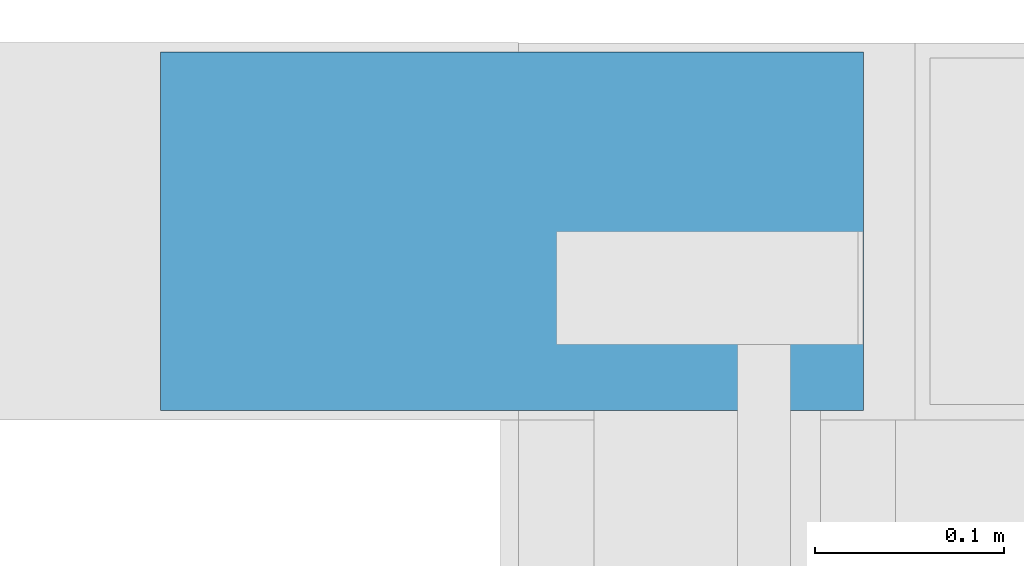
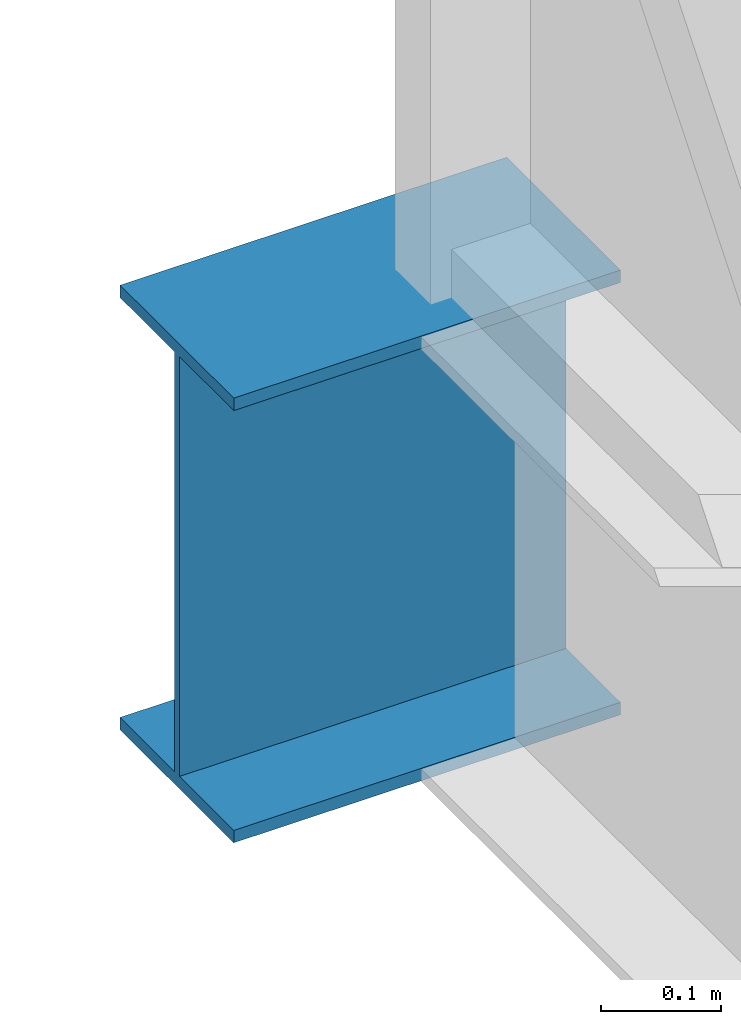
# One storey, part 139 of 646: 1 beam.
"""IFC4 building model written with IfcOpenShell, lengths in metres."""

from ifc_helpers import new_model, si_unit, direction, frame, origin, origin_2d, place, context, subcontext, project, spatial, i_section, extrude, material, material_profile, profile_set, type_object, element, save


model = new_model("IFC4")

# Units and contexts
model_context = context("Model", 3, precision=1e-05, world=origin(), true_north=direction((0.0, 1.0)))
body_context = subcontext(model_context, "Body", "Model", "MODEL_VIEW")
ifc_project = project(units=[si_unit("LENGTHUNIT", "METRE"), si_unit("AREAUNIT", "SQUARE_METRE"), si_unit("VOLUMEUNIT", "CUBIC_METRE"), si_unit("PLANEANGLEUNIT", "RADIAN"), si_unit("MASSUNIT", "GRAM", prefix="KILO")], contexts=[model_context])

# Site, building, storey
site_placement = place(None, origin())
site = spatial("IfcSite", under=ifc_project, at=site_placement, CompositionType="ELEMENT")
building_placement = place(site_placement, origin())
building = spatial("IfcBuilding", under=site, at=building_placement, Name="Silverbay Arena", CompositionType="ELEMENT")
storey_placement = place(building_placement, frame((0.0, 0.0, 33.5)))
storey = spatial("IfcBuildingStorey", under=building, at=storey_placement, Name="L05", CompositionType="ELEMENT", Elevation=33.5)

# Beam
ifc_material = material(Name="Steel S355", Category="steel")
ifc_material_profile = material_profile(ifc_material, i_section(OverallWidth=0.18994140625, OverallDepth=0.453369140625, WebThickness=0.008544921875, FlangeThickness=0.0126953125, at=origin_2d()), Name="UB 457x191x67")
ifc_profile_set = profile_set([ifc_material_profile], Name="Steel S355")
beam_type = type_object("IfcBeamType", Name="Ring beam UB 457x191x67", PredefinedType="BEAM", material=ifc_profile_set)
beam_placement = place(storey_placement, frame((53.5, 153.0, 4.226806640625), z_axis=(1.0, 0.0, 0.0), x_axis=(0.0, 1.0, 0.0)))
element("IfcBeam", 1, at=beam_placement, inside=storey, type_object=beam_type, Name="RING BEAM north edge 7 WEST END", PredefinedType="BEAM", context=body_context, shape_type="SweptSolid", body=[
    extrude(i_section(OverallWidth=0.18994140625, OverallDepth=0.453369140625, WebThickness=0.008544921875, FlangeThickness=0.0126953125, at=origin_2d()), origin(), (0.0, 0.0, 1.0), 0.372802734375),
])

save(model, "model.ifc")
